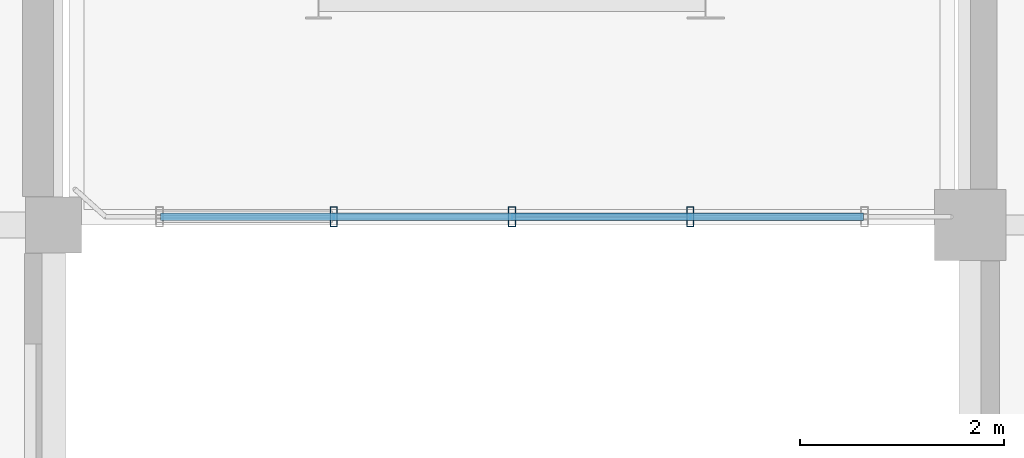
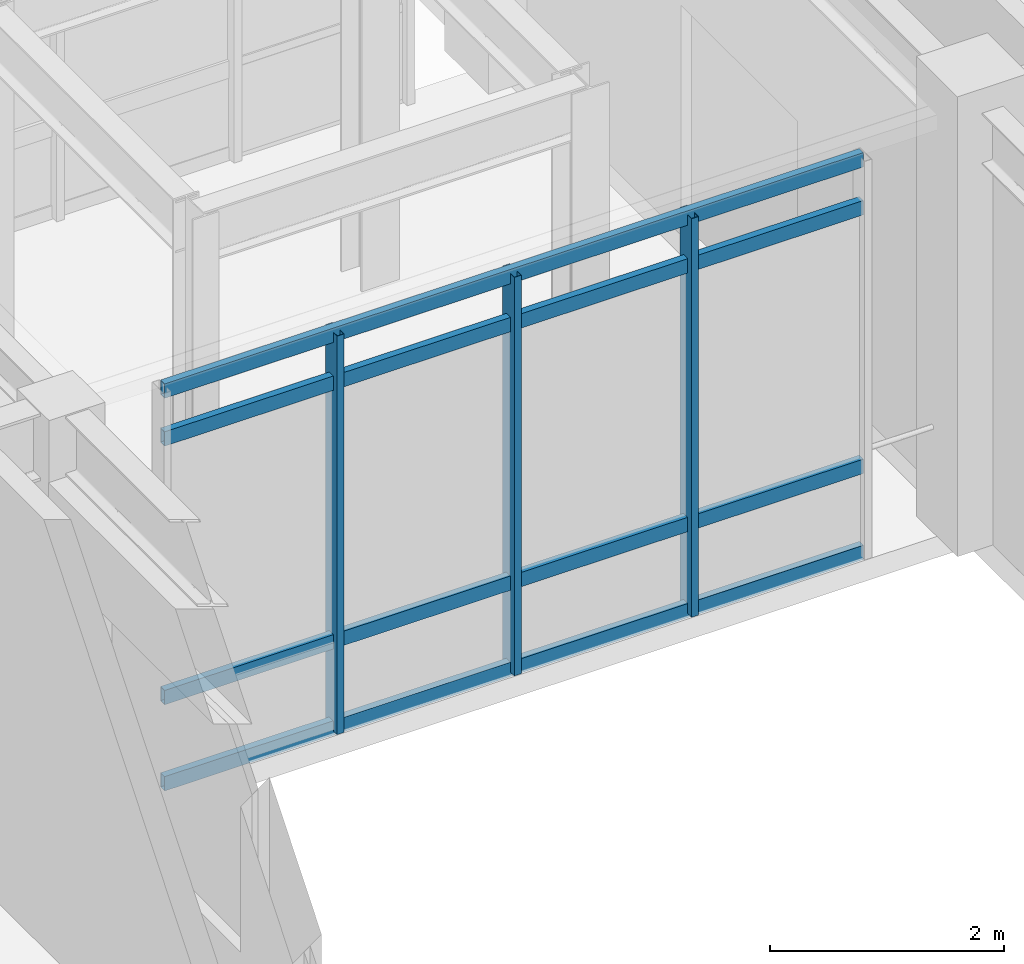
# One storey, part 80 of 200: 7 members, 1 element without a shape of its own.
"""IFC4 building model written with IfcOpenShell, lengths in metres."""

from ifc_helpers import new_model, si_unit, direction, frame, origin, origin_2d, place, context, subcontext, project, spatial, hollow_rectangle, extrude, material, material_profile, profile_set, type_object, element, aggregate, save


model = new_model("IFC4")

# Units and contexts
model_context = context("Model", 3, precision=1e-05, world=origin(), true_north=direction((0.0, 1.0)))
body_context = subcontext(model_context, "Body", "Model", "MODEL_VIEW")
ifc_project = project(units=[si_unit("LENGTHUNIT", "METRE"), si_unit("AREAUNIT", "SQUARE_METRE"), si_unit("VOLUMEUNIT", "CUBIC_METRE"), si_unit("PLANEANGLEUNIT", "RADIAN"), si_unit("MASSUNIT", "GRAM", prefix="KILO"), si_unit("THERMODYNAMICTEMPERATUREUNIT", "KELVIN"), si_unit("POWERUNIT", "WATT")], contexts=[model_context])

# Site, building, storey
site_placement = place(None, origin())
site = spatial("IfcSite", under=ifc_project, at=site_placement, CompositionType="ELEMENT")
building_placement = place(site_placement, origin())
building = spatial("IfcBuilding", under=site, at=building_placement, Name="Tepalcoro Natatorium and Aquatics Centre", CompositionType="ELEMENT")
storey_placement = place(building_placement, frame((0.0, 0.0, 5.39990234375)))
storey = spatial("IfcBuildingStorey", under=building, at=storey_placement, Name="L01", CompositionType="ELEMENT", Elevation=5.39990234375)

# Curtain wall, members
ifc_material = material(Name="Bronze-Anodised Extruded Aluminium Alloy EN AW-6063 T6", Category="aluminium")
curtain_wall_type = type_object("IfcCurtainWallType", Name="CW_LINK_150", PredefinedType="USERDEFINED", material=ifc_material)
curtain_wall_placement = place(storey_placement, origin())
curtain_wall = element("IfcCurtainWall", 1, at=curtain_wall_placement, inside=storey, type_object=curtain_wall_type, Name="North Spine Seismic Link Glazed Wall S L01", ObjectType="UNITISED STOREFRONT", PredefinedType="USERDEFINED")
ifc_material_profile_1 = material_profile(ifc_material, hollow_rectangle(XDim=0.070068359375, YDim=0.199951171875, WallThickness=0.0048828125, at=origin_2d()), Name="AL70X200X5")
ifc_profile_set_1 = profile_set([ifc_material_profile_1], Name="Bronze-Anodised Extruded Aluminium Alloy EN AW-6063 T6")
member_type_1 = type_object("IfcMemberType", Name="CW_MUL_70x200", PredefinedType="MULLION", material=ifc_profile_set_1)
member_1_placement = place(storey_placement, frame((91.75, 94.080078125, 0.02001953125), z_axis=(0.0, 0.0, 1.0), x_axis=(1.0, 0.0, 0.0)))
member_1 = element("IfcMember", 2, at=member_1_placement, type_object=member_type_1, Name="CW_LINK_150 Curtain Wall Mullion", PredefinedType="MULLION", context=body_context, shape_type="SweptSolid", body=[
    extrude(hollow_rectangle(XDim=0.070068359375, YDim=0.199951171875, WallThickness=0.0048828125, at=origin_2d()), origin(), (0.0, 0.0, 1.0), 4.16015625),
])
member_2_placement = place(storey_placement, frame((93.5, 94.080078125, 0.02001953125), z_axis=(0.0, 0.0, 1.0), x_axis=(1.0, 0.0, 0.0)))
member_2 = element("IfcMember", 3, at=member_2_placement, type_object=member_type_1, Name="CW_LINK_150 Curtain Wall Mullion", PredefinedType="MULLION", context=body_context, shape_type="SweptSolid", body=[
    extrude(hollow_rectangle(XDim=0.070068359375, YDim=0.199951171875, WallThickness=0.0048828125, at=origin_2d()), origin(), (0.0, 0.0, 1.0), 4.16015625),
])
member_3_placement = place(storey_placement, frame((95.25, 94.080078125, 0.02001953125), z_axis=(0.0, 0.0, 1.0), x_axis=(1.0, 0.0, 0.0)))
member_3 = element("IfcMember", 4, at=member_3_placement, type_object=member_type_1, Name="CW_LINK_150 Curtain Wall Mullion", PredefinedType="MULLION", context=body_context, shape_type="SweptSolid", body=[
    extrude(hollow_rectangle(XDim=0.070068359375, YDim=0.199951171875, WallThickness=0.0048828125, at=origin_2d()), origin(), (0.0, 0.0, 1.0), 4.16015625),
])
ifc_material_profile_2 = material_profile(ifc_material, hollow_rectangle(XDim=0.070068359375, YDim=0.14990234375, WallThickness=0.00390625, at=origin_2d()), Name="AL70X150X4")
ifc_profile_set_2 = profile_set([ifc_material_profile_2], Name="Bronze-Anodised Extruded Aluminium Alloy EN AW-6063 T6")
member_type_2 = type_object("IfcMemberType", Name="CW_TRN_70x150", PredefinedType="USERDEFINED", material=ifc_profile_set_2)
member_4_placement = place(storey_placement, frame((90.050048828125, 94.080078125, 0.050048828125), z_axis=(1.0, 0.0, 0.0), x_axis=(0.0, 1.0, 0.0)))
member_4 = element("IfcMember", 5, at=member_4_placement, type_object=member_type_2, Name="CW_LINK_150 Curtain Wall Transom", ObjectType="TRANSOM", PredefinedType="USERDEFINED", context=body_context, shape_type="SweptSolid", body=[
    extrude(hollow_rectangle(XDim=0.070068359375, YDim=0.14990234375, WallThickness=0.00390625, at=origin_2d()), origin(), (0.0, 0.0, 1.0), 6.89990234375),
])
member_5_placement = place(storey_placement, frame((90.050048828125, 94.080078125, 0.9501953125), z_axis=(1.0, 0.0, 0.0), x_axis=(0.0, 1.0, 0.0)))
member_5 = element("IfcMember", 6, at=member_5_placement, type_object=member_type_2, Name="CW_LINK_150 Curtain Wall Transom", ObjectType="TRANSOM", PredefinedType="USERDEFINED", context=body_context, shape_type="SweptSolid", body=[
    extrude(hollow_rectangle(XDim=0.070068359375, YDim=0.14990234375, WallThickness=0.00390625, at=origin_2d()), origin(), (0.0, 0.0, 1.0), 6.89990234375),
])
member_6_placement = place(storey_placement, frame((90.050048828125, 94.080078125, 3.650146484375), z_axis=(1.0, 0.0, 0.0), x_axis=(0.0, 1.0, 0.0)))
member_6 = element("IfcMember", 7, at=member_6_placement, type_object=member_type_2, Name="CW_LINK_150 Curtain Wall Transom", ObjectType="TRANSOM", PredefinedType="USERDEFINED", context=body_context, shape_type="SweptSolid", body=[
    extrude(hollow_rectangle(XDim=0.070068359375, YDim=0.14990234375, WallThickness=0.00390625, at=origin_2d()), origin(), (0.0, 0.0, 1.0), 6.89990234375),
])
member_7_placement = place(storey_placement, frame((90.050048828125, 94.080078125, 4.150146484375), z_axis=(1.0, 0.0, 0.0), x_axis=(0.0, 1.0, 0.0)))
member_7 = element("IfcMember", 8, at=member_7_placement, type_object=member_type_2, Name="CW_LINK_150 Curtain Wall Transom", ObjectType="TRANSOM", PredefinedType="USERDEFINED", context=body_context, shape_type="SweptSolid", body=[
    extrude(hollow_rectangle(XDim=0.070068359375, YDim=0.14990234375, WallThickness=0.00390625, at=origin_2d()), origin(), (0.0, 0.0, 1.0), 6.89990234375),
])
aggregate(curtain_wall, [member_1, member_2, member_3, member_4, member_5, member_6, member_7])

save(model, "model.ifc")
